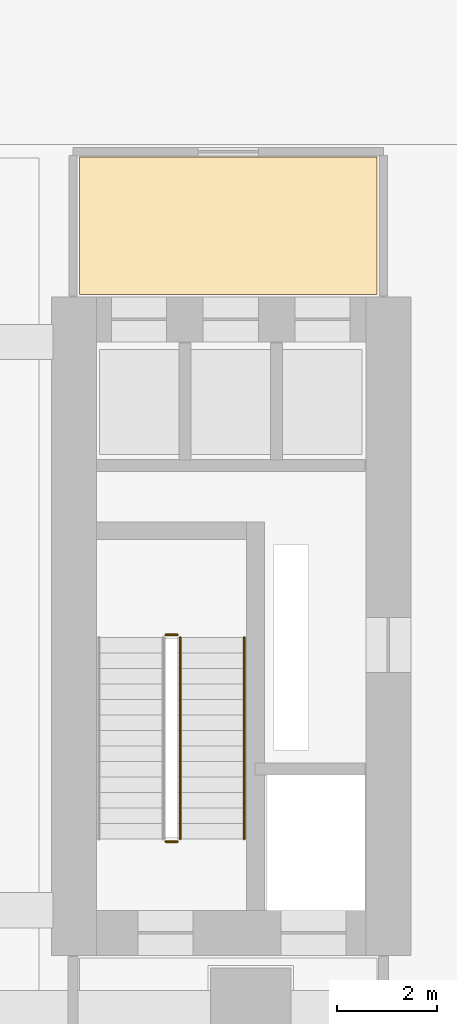
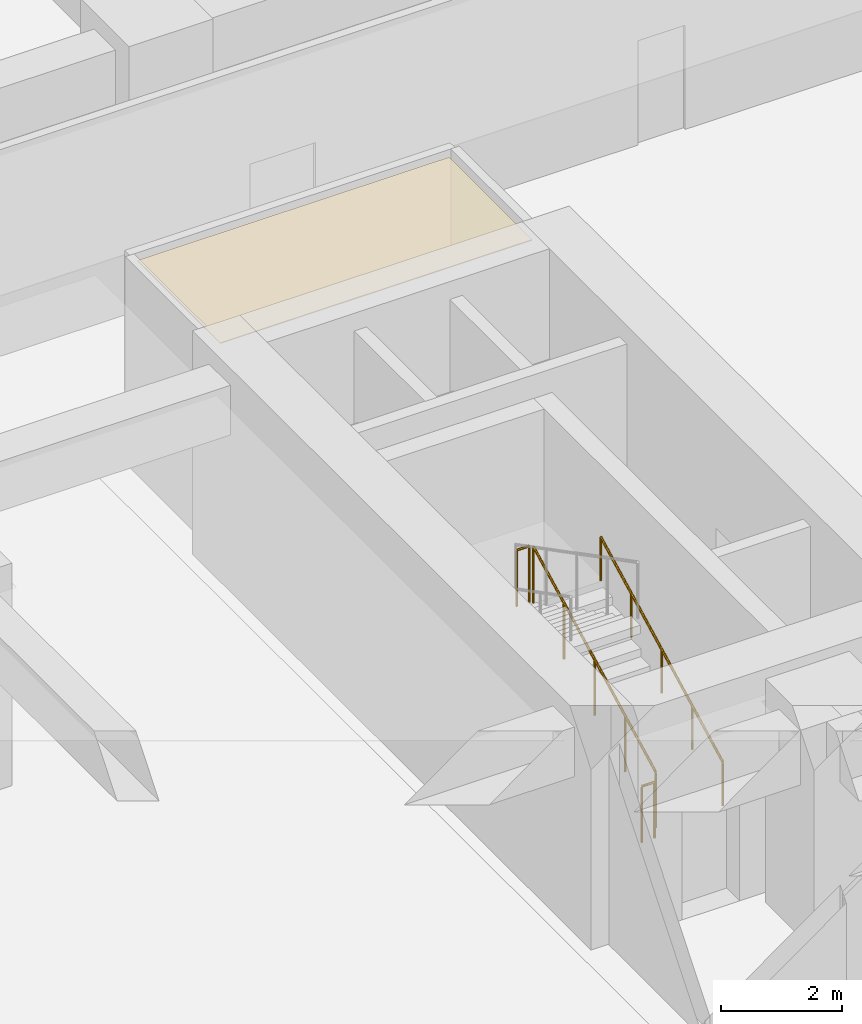
# One storey, part 35 of 39: 4 railings, 1 covering.
"""IFC4 building model written with IfcOpenShell, lengths in metres."""

from ifc_helpers import new_model, si_unit, direction, frame, origin, origin_2d, place, context, subcontext, project, spatial, polyline, circle, outline, extrude, material, layer, layer_set, type_object, element, save


model = new_model("IFC4")

# Units and contexts
model_context = context("Model", 3, precision=1e-05, world=origin(), true_north=direction((0.0, 1.0)))
body_context = subcontext(model_context, "Body", "Model", "MODEL_VIEW")
ifc_project = project(units=[si_unit("LENGTHUNIT", "METRE"), si_unit("AREAUNIT", "SQUARE_METRE"), si_unit("VOLUMEUNIT", "CUBIC_METRE"), si_unit("PLANEANGLEUNIT", "RADIAN"), si_unit("MASSUNIT", "GRAM", prefix="KILO")], contexts=[model_context])

# Site, building, storey
site_placement = place(None, origin())
site = spatial("IfcSite", under=ifc_project, at=site_placement, CompositionType="ELEMENT")
building_placement = place(site_placement, origin())
building = spatial("IfcBuilding", under=site, at=building_placement, Name="Khoralis Quay Care Tower", CompositionType="ELEMENT")
storey_placement = place(building_placement, origin())
storey = spatial("IfcBuildingStorey", under=building, at=storey_placement, Name="L00", CompositionType="ELEMENT", Elevation=0.0)

# Covering
ifc_material_1 = material(Name="Mineral-fibre acoustic ceiling tile")
ifc_layer = layer(ifc_material_1, 0.01806640625)
ifc_layer_set = layer_set([ifc_layer], Name="Mineral-fibre acoustic ceiling tile")
covering_type = type_object("IfcCoveringType", Name="COV-CEIL-AC18", PredefinedType="CEILING", material=ifc_layer_set)
covering_placement = place(storey_placement, frame((0.0, 0.0, 4.011962890625)))
element("IfcCovering", 1, at=covering_placement, inside=storey, type_object=covering_type, Name="Suspended Acoustic Ceiling SP-L00-LLOB-E", PredefinedType="CEILING", context=body_context, shape_type="SweptSolid", body=[
    extrude(outline(polyline([(31.179931640625, 27.64990234375), (37.1201171875, 27.64990234375), (37.1201171875, 30.389892578125), (31.179931640625, 30.389892578125), (31.179931640625, 27.64990234375)])), origin(), (0.0, 0.0, 1.0), 0.01806640625),
])

# Railings
ifc_material_2 = material(Name="Brushed stainless steel", Category="steel")
railing_type_1 = type_object("IfcRailingType", Name="RL-GUARD-1150", PredefinedType="GUARDRAIL", material=ifc_material_2)
railing_1_placement = place(storey_placement, frame((33.18994140625, 16.77001953125, 0.16064453125)))
element("IfcRailing", 2, at=railing_1_placement, inside=storey, type_object=railing_type_1, Name="L00 ST-T2 stair guard 1", PredefinedType="GUARDRAIL", context=body_context, shape_type="SweptSolid", body=[
    extrude(circle(Radius=0.02392578125, at=origin_2d()), frame((0.0, 0.0, 1.1259765625), z_axis=(0.0, 0.887780577991, 0.46026692836), x_axis=(-1.0, 0.0, 0.0)), (0.0, 0.0, 1.0), 4.53955078125),
    extrude(circle(Radius=0.02099609375, at=origin_2d()), origin(), (0.0, 0.0, 1.0), 1.101806640625),
    extrude(circle(Radius=0.02099609375, at=origin_2d()), frame((0.0, 1.007568359375, 0.5224609375)), (0.0, 0.0, 1.0), 1.101806640625),
    extrude(circle(Radius=0.02099609375, at=origin_2d()), frame((0.0, 2.01513671875, 1.044677734375)), (0.0, 0.0, 1.0), 1.101806640625),
    extrude(circle(Radius=0.02099609375, at=origin_2d()), frame((0.0, 3.0224609375, 1.56689453125)), (0.0, 0.0, 1.0), 1.101806640625),
    extrude(circle(Radius=0.02099609375, at=origin_2d()), frame((0.0, 4.030029296875, 2.08935546875)), (0.0, 0.0, 1.0), 1.101806640625),
])
for number, where, name in (
    (3, (33.139892578125, 20.85009765625, 2.25), "L00 ST-T2 stair guard 2"),
    (4, (33.139892578125, 16.719970703125, 0.0), "L00 ST-T2 stair guard 4"),
):
    element("IfcRailing", number, at=place(storey_placement, frame(where)), inside=storey, type_object=railing_type_1, Name=name, PredefinedType="GUARDRAIL", context=body_context, shape_type="SweptSolid", body=[
        extrude(circle(Radius=0.02392578125, at=origin_2d()), frame((0.0, 0.0, 1.1259765625), z_axis=(-1.0, 0.0, 0.0), x_axis=(0.0, -1.0, 0.0)), (0.0, 0.0, 1.0), 0.239990234375),
        extrude(circle(Radius=0.02099609375, at=origin_2d()), origin(), (0.0, 0.0, 1.0), 1.101806640625),
        extrude(circle(Radius=0.02099609375, at=origin_2d()), frame((-0.239990234375, 0.0, 0.0)), (0.0, 0.0, 1.0), 1.101806640625),
    ])
railing_type_2 = type_object("IfcRailingType", Name="RL-HAND-900", PredefinedType="HANDRAIL", material=ifc_material_2)
railing_2_placement = place(storey_placement, frame((34.469970703125, 16.77001953125, 0.16064453125)))
element("IfcRailing", 5, at=railing_2_placement, inside=storey, type_object=railing_type_2, Name="L00 ST-T2 stair handrail 1", PredefinedType="HANDRAIL", context=body_context, shape_type="SweptSolid", body=[
    extrude(circle(Radius=0.02392578125, at=origin_2d()), frame((0.0, 0.0, 0.8759765625), z_axis=(0.0, 0.887780577991, 0.46026692836), x_axis=(-1.0, 0.0, 0.0)), (0.0, 0.0, 1.0), 4.53955078125),
    extrude(circle(Radius=0.02099609375, at=origin_2d()), origin(), (0.0, 0.0, 1.0), 0.851806640625),
    extrude(circle(Radius=0.02099609375, at=origin_2d()), frame((0.0, 1.007568359375, 0.5224609375)), (0.0, 0.0, 1.0), 0.851806640625),
    extrude(circle(Radius=0.02099609375, at=origin_2d()), frame((0.0, 2.01513671875, 1.044677734375)), (0.0, 0.0, 1.0), 0.851806640625),
    extrude(circle(Radius=0.02099609375, at=origin_2d()), frame((0.0, 3.0224609375, 1.56689453125)), (0.0, 0.0, 1.0), 0.851806640625),
    extrude(circle(Radius=0.02099609375, at=origin_2d()), frame((0.0, 4.030029296875, 2.08935546875)), (0.0, 0.0, 1.0), 0.851806640625),
])

save(model, "model.ifc")
